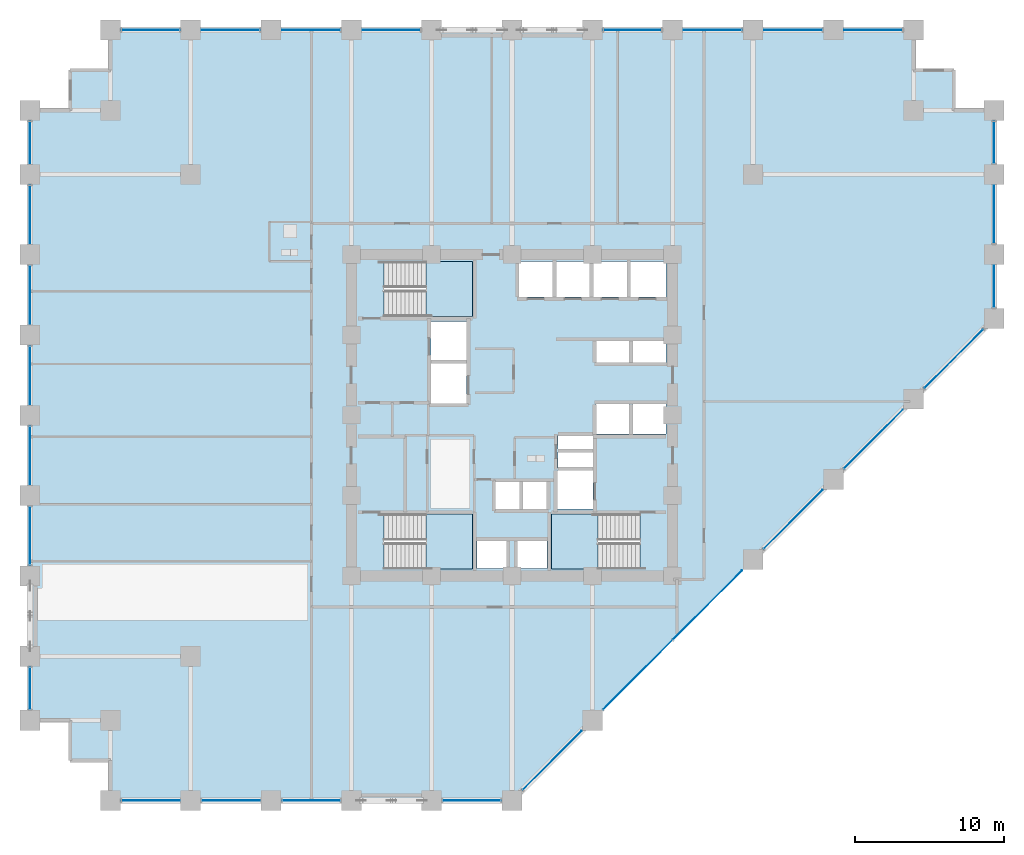
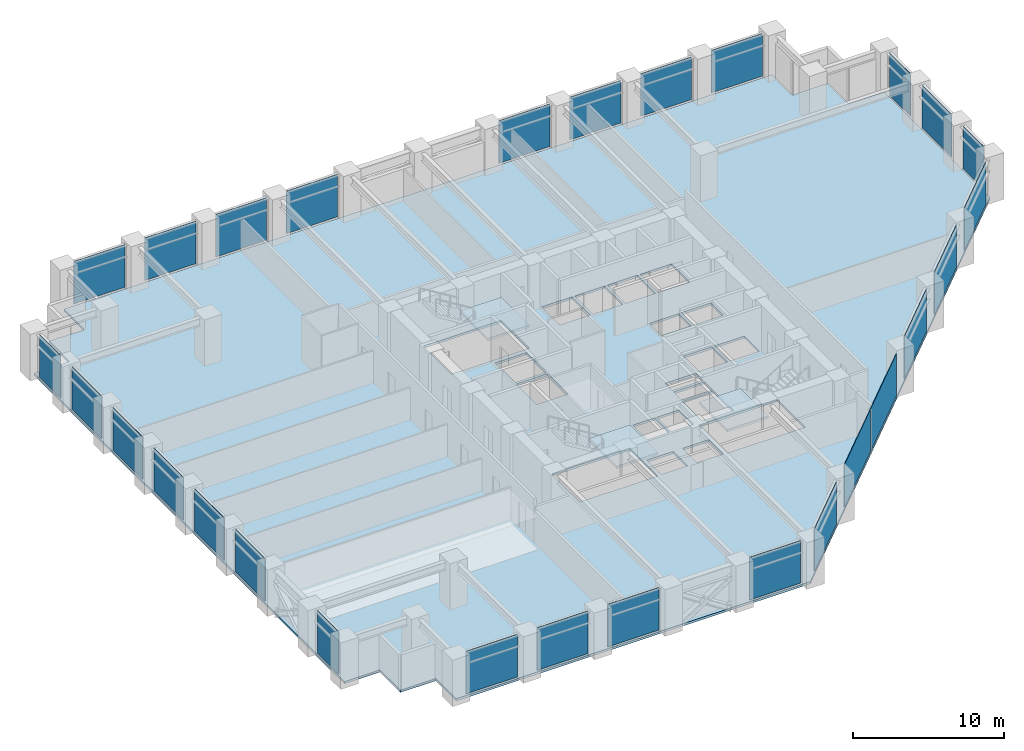
# One storey, part 18 of 25: 28 plates, 4 slabs, 11 elements without a shape of their own.
"""IFC4 building model written with IfcOpenShell, lengths in metres."""

from ifc_helpers import new_model, si_unit, direction, frame, frame_2d, origin, place, context, subcontext, project, spatial, polyline, rectangle, outline, extrude, material, layer, layer_set, type_object, element, aggregate, save


model = new_model("IFC4")

# Units and contexts
model_context = context("Model", 3, precision=1e-05, world=origin(), true_north=direction((0.0, 1.0)))
body_context = subcontext(model_context, "Body", "Model", "MODEL_VIEW")
ifc_project = project(units=[si_unit("LENGTHUNIT", "METRE"), si_unit("AREAUNIT", "SQUARE_METRE"), si_unit("VOLUMEUNIT", "CUBIC_METRE"), si_unit("PLANEANGLEUNIT", "RADIAN"), si_unit("MASSUNIT", "GRAM", prefix="KILO")], contexts=[model_context])

# Site, building, storey
site_placement = place(None, origin())
site = spatial("IfcSite", under=ifc_project, at=site_placement, CompositionType="ELEMENT")
building_placement = place(site_placement, origin())
building = spatial("IfcBuilding", under=site, at=building_placement, Name="Surkhivell Harbour Commons", CompositionType="ELEMENT")
storey_placement = place(building_placement, frame((0.0, 0.0, 37.5)))
storey = spatial("IfcBuildingStorey", under=building, at=storey_placement, Name="L09", CompositionType="ELEMENT", Elevation=37.5)

# Curtain wall, plates
ifc_material_1 = material(Name="Anodised pale-metal aluminium and insulated glazing", Category="aluminium")
ifc_layer_1 = layer(ifc_material_1, 0.219970703125)
ifc_layer_set_1 = layer_set([ifc_layer_1], Name="Anodised pale-metal aluminium and insulated glazing")
curtain_wall_type = type_object("IfcCurtainWallType", Name="CW-SYS-Z1", PredefinedType="NOTDEFINED", material=ifc_layer_set_1)
curtain_wall_1_placement = place(storey_placement, origin())
curtain_wall_1 = element("IfcCurtainWall", 1, at=curtain_wall_1_placement, inside=storey, type_object=curtain_wall_type, Name="L09 Curtain Wall CW-L09-E00S1", PredefinedType="NOTDEFINED")
ifc_material_2 = material(Name="Double-silver low-E laminated vision glass", Category="glass")
ifc_layer_2 = layer(ifc_material_2, 0.031982421875)
ifc_layer_set_2 = layer_set([ifc_layer_2], Name="Double-silver low-E laminated vision glass")
plate_type = type_object("IfcPlateType", Name="CWP-GLZ-32", PredefinedType="CURTAIN_PANEL", material=ifc_layer_set_2)
plate_1_placement = place(storey_placement, frame((-26.248046875, -25.89990234375, 0.14990234375), z_axis=(0.0, 0.0, 1.0), x_axis=(1.0, 0.0, 0.0)))
plate_1 = element("IfcPlate", 2, at=plate_1_placement, type_object=plate_type, Name="CW-Z1 panel 1.1", PredefinedType="CURTAIN_PANEL", context=body_context, shape_type="SweptSolid", body=[
    extrude(rectangle(XDim=3.89599609375, YDim=0.031982421875, at=frame_2d((1.947998046875, 0.0))), origin(), (0.0, 0.0, 1.0), 3.420166015625),
])
plate_2_placement = place(storey_placement, frame((-20.847900390625, -25.89990234375, 0.14990234375), z_axis=(0.0, 0.0, 1.0), x_axis=(1.0, 0.0, 0.0)))
plate_2 = element("IfcPlate", 3, at=plate_2_placement, type_object=plate_type, Name="CW-Z1 panel 2.1", PredefinedType="CURTAIN_PANEL", context=body_context, shape_type="SweptSolid", body=[
    extrude(rectangle(XDim=3.89599609375, YDim=0.031982421875, at=frame_2d((1.947998046875, 0.0))), origin(), (0.0, 0.0, 1.0), 3.420166015625),
])
plate_3_placement = place(storey_placement, frame((-15.447998046875, -25.89990234375, 0.14990234375), z_axis=(0.0, 0.0, 1.0), x_axis=(1.0, 0.0, 0.0)))
plate_3 = element("IfcPlate", 4, at=plate_3_placement, type_object=plate_type, Name="CW-Z1 panel 3.1", PredefinedType="CURTAIN_PANEL", context=body_context, shape_type="SweptSolid", body=[
    extrude(rectangle(XDim=3.89599609375, YDim=0.031982421875, at=frame_2d((1.947998046875, 0.0))), origin(), (0.0, 0.0, 1.0), 3.420166015625),
])
aggregate(curtain_wall_1, [plate_1, plate_2, plate_3])

# Curtain wall, plate
curtain_wall_2_placement = place(storey_placement, origin())
curtain_wall_2 = element("IfcCurtainWall", 5, at=curtain_wall_2_placement, inside=storey, type_object=curtain_wall_type, Name="L09 Curtain Wall CW-L09-E00S2", PredefinedType="NOTDEFINED")
plate_4_placement = place(storey_placement, frame((-4.64794921875, -25.89990234375, 0.14990234375), z_axis=(0.0, 0.0, 1.0), x_axis=(1.0, 0.0, 0.0)))
plate_4 = element("IfcPlate", 6, at=plate_4_placement, type_object=plate_type, Name="CW-Z1 panel 1.1", PredefinedType="CURTAIN_PANEL", context=body_context, shape_type="SweptSolid", body=[
    extrude(rectangle(XDim=3.89599609375, YDim=0.031982421875, at=frame_2d((1.947998046875, 0.0))), origin(), (0.0, 0.0, 1.0), 3.420166015625),
])
aggregate(curtain_wall_2, [plate_4])

# Curtain wall, plates
curtain_wall_3_placement = place(storey_placement, origin())
curtain_wall_3 = element("IfcCurtainWall", 7, at=curtain_wall_3_placement, inside=storey, type_object=curtain_wall_type, Name="L09 Curtain Wall CW-L09-E01", PredefinedType="NOTDEFINED")
plate_5_placement = place(storey_placement, frame((0.729736328125, -25.170166015625, 0.14990234375), z_axis=(0.0, 0.0, 1.0), x_axis=(0.707106781187, 0.707106781187, 0.0)))
plate_5 = element("IfcPlate", 8, at=plate_5_placement, type_object=plate_type, Name="CW-Z1 panel 1.1", PredefinedType="CURTAIN_PANEL", context=body_context, shape_type="SweptSolid", body=[
    extrude(rectangle(XDim=5.572509765625, YDim=0.031982421875, at=frame_2d((2.7861328125, 0.0))), origin(), (0.0, 0.0, 1.0), 3.420166015625),
])
plate_6_placement = place(storey_placement, frame((6.1298828125, -19.770263671875, 0.14990234375), z_axis=(0.0, 0.0, 1.0), x_axis=(0.707088192925, 0.70712536896, 0.0)))
plate_6 = element("IfcPlate", 9, at=plate_6_placement, type_object=plate_type, Name="CW-Z1 panel 2.1", PredefinedType="CURTAIN_PANEL", context=body_context, shape_type="SweptSolid", body=[
    extrude(rectangle(XDim=6.567138671875, YDim=0.031982421875, at=frame_2d((3.28369140625, 0.0))), origin(), (0.0, 0.0, 1.0), 3.420166015625),
])
plate_7_placement = place(storey_placement, frame((10.826416015625, -15.073486328125, 0.14990234375), z_axis=(0.0, 0.0, 1.0), x_axis=(0.70712536896, 0.707088192925, 0.0)))
plate_7 = element("IfcPlate", 10, at=plate_7_placement, type_object=plate_type, Name="CW-Z1 panel 3.1", PredefinedType="CURTAIN_PANEL", context=body_context, shape_type="SweptSolid", body=[
    extrude(rectangle(XDim=6.567138671875, YDim=0.031982421875, at=frame_2d((3.28369140625, 0.0))), origin(), (0.0, 0.0, 1.0), 3.420166015625),
])
plate_8_placement = place(storey_placement, frame((16.929931640625, -8.97021484375, 0.14990234375), z_axis=(0.0, 0.0, 1.0), x_axis=(0.707084874754, 0.70712868694, 0.0)))
plate_8 = element("IfcPlate", 11, at=plate_8_placement, type_object=plate_type, Name="CW-Z1 panel 4.1", PredefinedType="CURTAIN_PANEL", context=body_context, shape_type="SweptSolid", body=[
    extrude(rectangle(XDim=5.572509765625, YDim=0.031982421875, at=frame_2d((2.7861328125, 0.0))), origin(), (0.0, 0.0, 1.0), 3.420166015625),
])
plate_9_placement = place(storey_placement, frame((22.329833984375, -3.570068359375, 0.14990234375), z_axis=(0.0, 0.0, 1.0), x_axis=(0.70712868694, 0.707084874754, 0.0)))
plate_9 = element("IfcPlate", 12, at=plate_9_placement, type_object=plate_type, Name="CW-Z1 panel 5.1", PredefinedType="CURTAIN_PANEL", context=body_context, shape_type="SweptSolid", body=[
    extrude(rectangle(XDim=5.572509765625, YDim=0.031982421875, at=frame_2d((2.7861328125, 0.0))), origin(), (0.0, 0.0, 1.0), 3.420166015625),
])
plate_10_placement = place(storey_placement, frame((27.729736328125, 1.829833984375, 0.14990234375), z_axis=(0.0, 0.0, 1.0), x_axis=(0.707106781187, 0.707106781187, 0.0)))
plate_10 = element("IfcPlate", 13, at=plate_10_placement, type_object=plate_type, Name="CW-Z1 panel 6.1", PredefinedType="CURTAIN_PANEL", context=body_context, shape_type="SweptSolid", body=[
    extrude(rectangle(XDim=5.572509765625, YDim=0.031982421875, at=frame_2d((2.7861328125, 0.0))), origin(), (0.0, 0.0, 1.0), 3.420166015625),
])
aggregate(curtain_wall_3, [plate_5, plate_6, plate_7, plate_8, plate_9, plate_10])

curtain_wall_4_placement = place(storey_placement, origin())
curtain_wall_4 = element("IfcCurtainWall", 14, at=curtain_wall_4_placement, inside=storey, type_object=curtain_wall_type, Name="L09 Curtain Wall CW-L09-E02", PredefinedType="NOTDEFINED")
plate_11_placement = place(storey_placement, frame((32.39990234375, 7.251953125, 0.14990234375), z_axis=(0.0, 0.0, 1.0), x_axis=(0.0, 1.0, 0.0)))
plate_11 = element("IfcPlate", 15, at=plate_11_placement, type_object=plate_type, Name="CW-Z1 panel 1.1", PredefinedType="CURTAIN_PANEL", context=body_context, shape_type="SweptSolid", body=[
    extrude(rectangle(XDim=2.796142578125, YDim=0.031982421875, at=frame_2d((1.39794921875, 0.0))), origin(), (0.0, 0.0, 1.0), 3.420166015625),
])
plate_12_placement = place(storey_placement, frame((32.39990234375, 11.552001953125, 0.14990234375), z_axis=(0.0, 0.0, 1.0), x_axis=(0.0, 1.0, 0.0)))
plate_12 = element("IfcPlate", 16, at=plate_12_placement, type_object=plate_type, Name="CW-Z1 panel 2.1", PredefinedType="CURTAIN_PANEL", context=body_context, shape_type="SweptSolid", body=[
    extrude(rectangle(XDim=3.89599609375, YDim=0.031982421875, at=frame_2d((1.947998046875, 0.0))), origin(), (0.0, 0.0, 1.0), 3.420166015625),
])
plate_13_placement = place(storey_placement, frame((32.39990234375, 16.951904296875, 0.14990234375), z_axis=(0.0, 0.0, 1.0), x_axis=(0.0, 1.0, 0.0)))
plate_13 = element("IfcPlate", 17, at=plate_13_placement, type_object=plate_type, Name="CW-Z1 panel 3.1", PredefinedType="CURTAIN_PANEL", context=body_context, shape_type="SweptSolid", body=[
    extrude(rectangle(XDim=2.796142578125, YDim=0.031982421875, at=frame_2d((1.39794921875, 0.0))), origin(), (0.0, 0.0, 1.0), 3.420166015625),
])
aggregate(curtain_wall_4, [plate_11, plate_12, plate_13])

curtain_wall_5_placement = place(storey_placement, origin())
curtain_wall_5 = element("IfcCurtainWall", 18, at=curtain_wall_5_placement, inside=storey, type_object=curtain_wall_type, Name="L09 Curtain Wall CW-L09-E07S1", PredefinedType="NOTDEFINED")
plate_14_placement = place(storey_placement, frame((26.248046875, 25.89990234375, 0.14990234375), z_axis=(0.0, 0.0, 1.0), x_axis=(-1.0, 0.0, 0.0)))
plate_14 = element("IfcPlate", 19, at=plate_14_placement, type_object=plate_type, Name="CW-Z1 panel 1.1", PredefinedType="CURTAIN_PANEL", context=body_context, shape_type="SweptSolid", body=[
    extrude(rectangle(XDim=3.89599609375, YDim=0.031982421875, at=frame_2d((1.947998046875, 0.0))), origin(), (0.0, 0.0, 1.0), 3.420166015625),
])
plate_15_placement = place(storey_placement, frame((20.847900390625, 25.89990234375, 0.14990234375), z_axis=(0.0, 0.0, 1.0), x_axis=(-1.0, 0.0, 0.0)))
plate_15 = element("IfcPlate", 20, at=plate_15_placement, type_object=plate_type, Name="CW-Z1 panel 2.1", PredefinedType="CURTAIN_PANEL", context=body_context, shape_type="SweptSolid", body=[
    extrude(rectangle(XDim=3.89599609375, YDim=0.031982421875, at=frame_2d((1.947998046875, 0.0))), origin(), (0.0, 0.0, 1.0), 3.420166015625),
])
plate_16_placement = place(storey_placement, frame((15.447998046875, 25.89990234375, 0.14990234375), z_axis=(0.0, 0.0, 1.0), x_axis=(-1.0, 0.0, 0.0)))
plate_16 = element("IfcPlate", 21, at=plate_16_placement, type_object=plate_type, Name="CW-Z1 panel 3.1", PredefinedType="CURTAIN_PANEL", context=body_context, shape_type="SweptSolid", body=[
    extrude(rectangle(XDim=3.89599609375, YDim=0.031982421875, at=frame_2d((1.947998046875, 0.0))), origin(), (0.0, 0.0, 1.0), 3.420166015625),
])
plate_17_placement = place(storey_placement, frame((10.048095703125, 25.89990234375, 0.14990234375), z_axis=(0.0, 0.0, 1.0), x_axis=(-1.0, 0.0, 0.0)))
plate_17 = element("IfcPlate", 22, at=plate_17_placement, type_object=plate_type, Name="CW-Z1 panel 4.1", PredefinedType="CURTAIN_PANEL", context=body_context, shape_type="SweptSolid", body=[
    extrude(rectangle(XDim=3.89599609375, YDim=0.031982421875, at=frame_2d((1.947998046875, 0.0))), origin(), (0.0, 0.0, 1.0), 3.420166015625),
])
aggregate(curtain_wall_5, [plate_14, plate_15, plate_16, plate_17])

curtain_wall_6_placement = place(storey_placement, origin())
curtain_wall_6 = element("IfcCurtainWall", 23, at=curtain_wall_6_placement, inside=storey, type_object=curtain_wall_type, Name="L09 Curtain Wall CW-L09-E07S2", PredefinedType="NOTDEFINED")
plate_18_placement = place(storey_placement, frame((-6.152099609375, 25.89990234375, 0.14990234375), z_axis=(0.0, 0.0, 1.0), x_axis=(-1.0, 0.0, 0.0)))
plate_18 = element("IfcPlate", 24, at=plate_18_placement, type_object=plate_type, Name="CW-Z1 panel 1.1", PredefinedType="CURTAIN_PANEL", context=body_context, shape_type="SweptSolid", body=[
    extrude(rectangle(XDim=3.89599609375, YDim=0.031982421875, at=frame_2d((1.947998046875, 0.0))), origin(), (0.0, 0.0, 1.0), 3.420166015625),
])
plate_19_placement = place(storey_placement, frame((-11.552001953125, 25.89990234375, 0.14990234375), z_axis=(0.0, 0.0, 1.0), x_axis=(-1.0, 0.0, 0.0)))
plate_19 = element("IfcPlate", 25, at=plate_19_placement, type_object=plate_type, Name="CW-Z1 panel 2.1", PredefinedType="CURTAIN_PANEL", context=body_context, shape_type="SweptSolid", body=[
    extrude(rectangle(XDim=3.89599609375, YDim=0.031982421875, at=frame_2d((1.947998046875, 0.0))), origin(), (0.0, 0.0, 1.0), 3.420166015625),
])
plate_20_placement = place(storey_placement, frame((-16.951904296875, 25.89990234375, 0.14990234375), z_axis=(0.0, 0.0, 1.0), x_axis=(-1.0, 0.0, 0.0)))
plate_20 = element("IfcPlate", 26, at=plate_20_placement, type_object=plate_type, Name="CW-Z1 panel 3.1", PredefinedType="CURTAIN_PANEL", context=body_context, shape_type="SweptSolid", body=[
    extrude(rectangle(XDim=3.89599609375, YDim=0.031982421875, at=frame_2d((1.947998046875, 0.0))), origin(), (0.0, 0.0, 1.0), 3.420166015625),
])
plate_21_placement = place(storey_placement, frame((-22.35205078125, 25.89990234375, 0.14990234375), z_axis=(0.0, 0.0, 1.0), x_axis=(-1.0, 0.0, 0.0)))
plate_21 = element("IfcPlate", 27, at=plate_21_placement, type_object=plate_type, Name="CW-Z1 panel 4.1", PredefinedType="CURTAIN_PANEL", context=body_context, shape_type="SweptSolid", body=[
    extrude(rectangle(XDim=3.89599609375, YDim=0.031982421875, at=frame_2d((1.947998046875, 0.0))), origin(), (0.0, 0.0, 1.0), 3.420166015625),
])
aggregate(curtain_wall_6, [plate_18, plate_19, plate_20, plate_21])

curtain_wall_7_placement = place(storey_placement, origin())
curtain_wall_7 = element("IfcCurtainWall", 28, at=curtain_wall_7_placement, inside=storey, type_object=curtain_wall_type, Name="L09 Curtain Wall CW-L09-E12S1", PredefinedType="NOTDEFINED")
plate_22_placement = place(storey_placement, frame((-32.39990234375, 19.748046875, 0.14990234375), z_axis=(0.0, 0.0, 1.0), x_axis=(0.0, -1.0, 0.0)))
plate_22 = element("IfcPlate", 29, at=plate_22_placement, type_object=plate_type, Name="CW-Z1 panel 1.1", PredefinedType="CURTAIN_PANEL", context=body_context, shape_type="SweptSolid", body=[
    extrude(rectangle(XDim=2.796142578125, YDim=0.031982421875, at=frame_2d((1.39794921875, 0.0))), origin(), (0.0, 0.0, 1.0), 3.420166015625),
])
plate_23_placement = place(storey_placement, frame((-32.39990234375, 15.447998046875, 0.14990234375), z_axis=(0.0, 0.0, 1.0), x_axis=(0.0, -1.0, 0.0)))
plate_23 = element("IfcPlate", 30, at=plate_23_placement, type_object=plate_type, Name="CW-Z1 panel 2.1", PredefinedType="CURTAIN_PANEL", context=body_context, shape_type="SweptSolid", body=[
    extrude(rectangle(XDim=3.89599609375, YDim=0.031982421875, at=frame_2d((1.947998046875, 0.0))), origin(), (0.0, 0.0, 1.0), 3.420166015625),
])
plate_24_placement = place(storey_placement, frame((-32.39990234375, 10.048095703125, 0.14990234375), z_axis=(0.0, 0.0, 1.0), x_axis=(0.0, -1.0, 0.0)))
plate_24 = element("IfcPlate", 31, at=plate_24_placement, type_object=plate_type, Name="CW-Z1 panel 3.1", PredefinedType="CURTAIN_PANEL", context=body_context, shape_type="SweptSolid", body=[
    extrude(rectangle(XDim=3.89599609375, YDim=0.031982421875, at=frame_2d((1.947998046875, 0.0))), origin(), (0.0, 0.0, 1.0), 3.420166015625),
])
plate_25_placement = place(storey_placement, frame((-32.39990234375, 4.64794921875, 0.14990234375), z_axis=(0.0, 0.0, 1.0), x_axis=(0.0, -1.0, 0.0)))
plate_25 = element("IfcPlate", 32, at=plate_25_placement, type_object=plate_type, Name="CW-Z1 panel 4.1", PredefinedType="CURTAIN_PANEL", context=body_context, shape_type="SweptSolid", body=[
    extrude(rectangle(XDim=3.89599609375, YDim=0.031982421875, at=frame_2d((1.947998046875, 0.0))), origin(), (0.0, 0.0, 1.0), 3.420166015625),
])
plate_26_placement = place(storey_placement, frame((-32.39990234375, -0.751953125, 0.14990234375), z_axis=(0.0, 0.0, 1.0), x_axis=(0.0, -1.0, 0.0)))
plate_26 = element("IfcPlate", 33, at=plate_26_placement, type_object=plate_type, Name="CW-Z1 panel 5.1", PredefinedType="CURTAIN_PANEL", context=body_context, shape_type="SweptSolid", body=[
    extrude(rectangle(XDim=3.89599609375, YDim=0.031982421875, at=frame_2d((1.947998046875, 0.0))), origin(), (0.0, 0.0, 1.0), 3.420166015625),
])
plate_27_placement = place(storey_placement, frame((-32.39990234375, -6.152099609375, 0.14990234375), z_axis=(0.0, 0.0, 1.0), x_axis=(0.0, -1.0, 0.0)))
plate_27 = element("IfcPlate", 34, at=plate_27_placement, type_object=plate_type, Name="CW-Z1 panel 6.1", PredefinedType="CURTAIN_PANEL", context=body_context, shape_type="SweptSolid", body=[
    extrude(rectangle(XDim=3.89599609375, YDim=0.031982421875, at=frame_2d((1.947998046875, 0.0))), origin(), (0.0, 0.0, 1.0), 3.420166015625),
])
aggregate(curtain_wall_7, [plate_22, plate_23, plate_24, plate_25, plate_26, plate_27])

# Curtain wall, plate
curtain_wall_8_placement = place(storey_placement, origin())
curtain_wall_8 = element("IfcCurtainWall", 35, at=curtain_wall_8_placement, inside=storey, type_object=curtain_wall_type, Name="L09 Curtain Wall CW-L09-E12S2", PredefinedType="NOTDEFINED")
plate_28_placement = place(storey_placement, frame((-32.39990234375, -16.951904296875, 0.14990234375), z_axis=(0.0, 0.0, 1.0), x_axis=(0.0, -1.0, 0.0)))
plate_28 = element("IfcPlate", 36, at=plate_28_placement, type_object=plate_type, Name="CW-Z1 panel 1.1", PredefinedType="CURTAIN_PANEL", context=body_context, shape_type="SweptSolid", body=[
    extrude(rectangle(XDim=2.796142578125, YDim=0.031982421875, at=frame_2d((1.39794921875, 0.0))), origin(), (0.0, 0.0, 1.0), 3.420166015625),
])
aggregate(curtain_wall_8, [plate_28])

# Stair, slab
ifc_material_3 = material(Name="Precast concrete C45/55", Category="concrete")
stair_type = type_object("IfcStairType", Name="STR-DL-375", PredefinedType="HALF_TURN_STAIR", material=ifc_material_3)
stair_1_placement = place(storey_placement, origin())
stair_1 = element("IfcStair", 37, at=stair_1_placement, inside=storey, type_object=stair_type, Name="L09 Core Exit Stair ST1", PredefinedType="HALF_TURN_STAIR")
ifc_material_4 = material(Name="Reinforced concrete C45/55", Category="concrete")
ifc_layer_3 = layer(ifc_material_4, 0.199951171875)
ifc_layer_set_3 = layer_set([ifc_layer_3], Name="Reinforced concrete C45/55")
slab_type_1 = type_object("IfcSlabType", Name="SLB-ST-LND200", PredefinedType="LANDING", material=ifc_layer_set_3)
slab_1_placement = place(storey_placement, frame((0.0, 0.0, 1.675048828125)))
slab_1 = element("IfcSlab", 38, at=slab_1_placement, type_object=slab_type_1, Name="ST1 landing 1", PredefinedType="LANDING", context=body_context, shape_type="SweptSolid", body=[
    extrude(outline(polyline([(-5.7900390625, 6.639892578125), (-2.639892578125, 6.639892578125), (-2.639892578125, 10.340087890625), (-5.7900390625, 10.340087890625), (-5.7900390625, 6.639892578125)])), origin(), (0.0, 0.0, 1.0), 0.199951171875),
])
aggregate(stair_1, [slab_1])

stair_2_placement = place(storey_placement, origin())
stair_2 = element("IfcStair", 39, at=stair_2_placement, inside=storey, type_object=stair_type, Name="L09 Core Exit Stair ST2", PredefinedType="HALF_TURN_STAIR")
slab_2_placement = place(storey_placement, frame((0.0, 0.0, 1.675048828125)))
slab_2 = element("IfcSlab", 40, at=slab_2_placement, type_object=slab_type_1, Name="ST2 landing 1", PredefinedType="LANDING", context=body_context, shape_type="SweptSolid", body=[
    extrude(outline(polyline([(5.7900390625, -6.639892578125), (2.639892578125, -6.639892578125), (2.639892578125, -10.340087890625), (5.7900390625, -10.340087890625), (5.7900390625, -6.639892578125)])), origin(), (0.0, 0.0, 1.0), 0.199951171875),
])
aggregate(stair_2, [slab_2])

stair_3_placement = place(storey_placement, origin())
stair_3 = element("IfcStair", 41, at=stair_3_placement, inside=storey, type_object=stair_type, Name="L09 Core Exit Stair ST3", PredefinedType="HALF_TURN_STAIR")
slab_3_placement = place(storey_placement, frame((0.0, 0.0, 1.675048828125)))
slab_3 = element("IfcSlab", 42, at=slab_3_placement, type_object=slab_type_1, Name="ST3 landing 1", PredefinedType="LANDING", context=body_context, shape_type="SweptSolid", body=[
    extrude(outline(polyline([(-5.7900390625, -10.340087890625), (-2.639892578125, -10.340087890625), (-2.639892578125, -6.639892578125), (-5.7900390625, -6.639892578125), (-5.7900390625, -10.340087890625)])), origin(), (0.0, 0.0, 1.0), 0.199951171875),
])
aggregate(stair_3, [slab_3])

# Slab
ifc_material_5 = material(Name="Concrete C45/55", Category="concrete")
ifc_layer_4 = layer(ifc_material_5, 0.179931640625)
ifc_layer_set_4 = layer_set([ifc_layer_4], Name="Concrete C45/55")
slab_type_2 = type_object("IfcSlabType", Name="SLB-TYP-180", PredefinedType="FLOOR", material=ifc_layer_set_4)
slab_4_placement = place(storey_placement, frame((0.0, 0.0, -0.179931640625)))
element("IfcSlab", 43, at=slab_4_placement, inside=storey, type_object=slab_type_2, Name="L09 Structural Floor Slab", PredefinedType="FLOOR", context=body_context, shape_type="SweptSolid", body=[
    extrude(outline(polyline([(-27.0, -25.89990234375), (0.0, -25.89990234375), (32.39990234375, 6.5), (32.39990234375, 20.5), (29.699951171875, 20.5), (29.699951171875, 23.199951171875), (27.0, 23.199951171875), (27.0, 25.89990234375), (-27.0, 25.89990234375), (-27.0, 23.199951171875), (-29.699951171875, 23.199951171875), (-29.699951171875, 20.5), (-32.39990234375, 20.5), (-32.39990234375, -20.5), (-29.699951171875, -20.5), (-29.699951171875, -23.199951171875), (-27.0, -23.199951171875), (-27.0, -25.89990234375)]), holes=[polyline([(-8.590087890625, 6.639892578125), (-2.639892578125, 6.639892578125), (-2.639892578125, 10.340087890625), (-8.590087890625, 10.340087890625), (-8.590087890625, 6.639892578125)]), polyline([(8.590087890625, -6.639892578125), (2.639892578125, -6.639892578125), (2.639892578125, -10.340087890625), (8.590087890625, -10.340087890625), (8.590087890625, -6.639892578125)]), polyline([(-8.590087890625, -10.340087890625), (-2.639892578125, -10.340087890625), (-2.639892578125, -6.639892578125), (-8.590087890625, -6.639892578125), (-8.590087890625, -10.340087890625)]), polyline([(0.449951171875, 7.949951171875), (2.75, 7.949951171875), (2.75, 10.35009765625), (0.449951171875, 10.35009765625), (0.449951171875, 7.949951171875)]), polyline([(2.949951171875, 7.949951171875), (5.25, 7.949951171875), (5.25, 10.35009765625), (2.949951171875, 10.35009765625), (2.949951171875, 7.949951171875)]), polyline([(5.449951171875, 7.949951171875), (7.75, 7.949951171875), (7.75, 10.35009765625), (5.449951171875, 10.35009765625), (5.449951171875, 7.949951171875)]), polyline([(7.949951171875, 7.949951171875), (10.35009765625, 7.949951171875), (10.35009765625, 10.35009765625), (7.949951171875, 10.35009765625), (7.949951171875, 7.949951171875)]), polyline([(5.64990234375, 3.550048828125), (7.89990234375, 3.550048828125), (7.89990234375, 5.14990234375), (5.64990234375, 5.14990234375), (5.64990234375, 3.550048828125)]), polyline([(8.10009765625, 3.550048828125), (10.35009765625, 3.550048828125), (10.35009765625, 5.14990234375), (8.10009765625, 5.14990234375), (8.10009765625, 3.550048828125)]), polyline([(5.64990234375, -1.25), (7.89990234375, -1.25), (7.89990234375, 0.75), (5.64990234375, 0.75), (5.64990234375, -1.25)]), polyline([(8.10009765625, -1.25), (10.35009765625, -1.25), (10.35009765625, 0.75), (8.10009765625, 0.75), (8.10009765625, -1.25)]), polyline([(-1.14990234375, -6.35009765625), (0.550048828125, -6.35009765625), (0.550048828125, -4.449951171875), (-1.14990234375, -4.449951171875), (-1.14990234375, -6.35009765625)]), polyline([(0.679931640625, -6.35009765625), (2.3798828125, -6.35009765625), (2.3798828125, -4.449951171875), (0.679931640625, -4.449951171875), (0.679931640625, -6.35009765625)]), polyline([(-2.35009765625, -10.300048828125), (-0.35009765625, -10.300048828125), (-0.35009765625, -8.39990234375), (-2.35009765625, -8.39990234375), (-2.35009765625, -10.300048828125)]), polyline([(0.35009765625, -10.300048828125), (2.35009765625, -10.300048828125), (2.35009765625, -8.39990234375), (0.35009765625, -8.39990234375), (0.35009765625, -10.300048828125)]), polyline([(-5.449951171875, 3.699951171875), (-3.050048828125, 3.699951171875), (-3.050048828125, 6.300048828125), (-5.449951171875, 6.300048828125), (-5.449951171875, 3.699951171875)]), polyline([(3.050048828125, -6.300048828125), (5.449951171875, -6.300048828125), (5.449951171875, -3.699951171875), (3.050048828125, -3.699951171875), (3.050048828125, -6.300048828125)]), polyline([(-5.449951171875, 0.800048828125), (-3.050048828125, 0.800048828125), (-3.050048828125, 3.5), (-5.449951171875, 3.5), (-5.449951171875, 0.800048828125)]), polyline([(3.10009765625, -3.550048828125), (5.449951171875, -3.550048828125), (5.449951171875, -2.47998046875), (3.10009765625, -2.47998046875), (3.10009765625, -3.550048828125)]), polyline([(3.10009765625, -2.280029296875), (5.449951171875, -2.280029296875), (5.449951171875, -1.35009765625), (3.10009765625, -1.35009765625), (3.10009765625, -2.280029296875)])]), origin(), (0.0, 0.0, 1.0), 0.179931640625),
])

save(model, "model.ifc")
